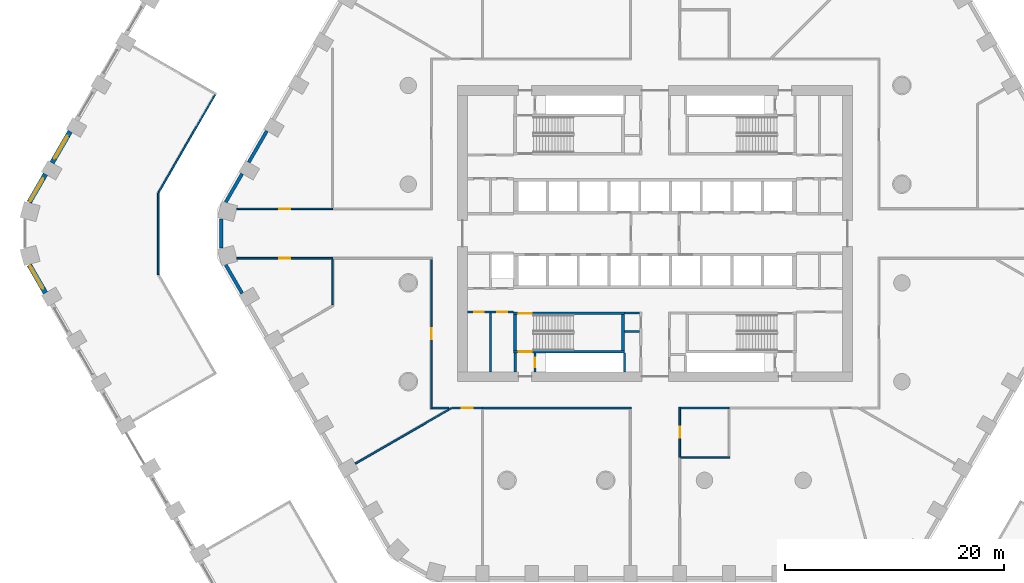
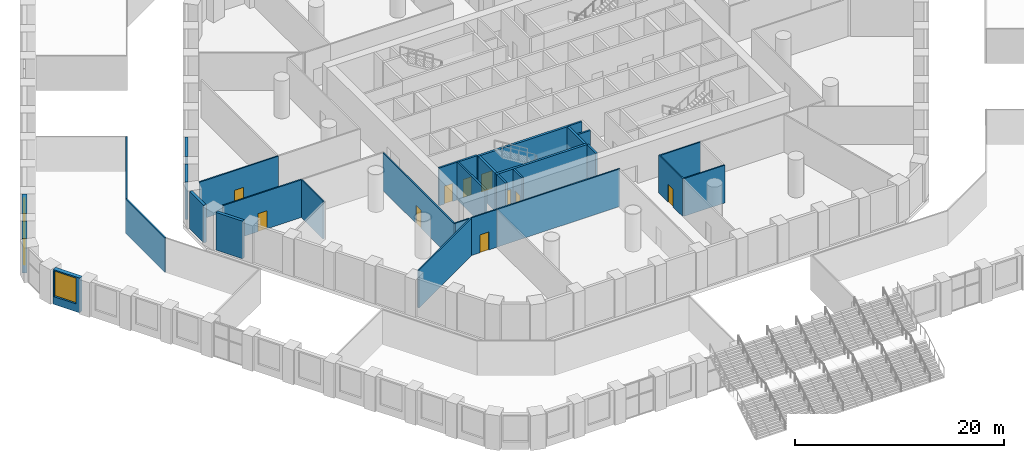
# One storey, part 18 of 42: 31 walls, 10 doors, 3 windows, 13 openings.
"""IFC4 building model written with IfcOpenShell, lengths in metres."""

from ifc_helpers import new_model, si_unit, direction, frame, frame_2d, origin, place, context, subcontext, project, spatial, rectangle, extrude, material, layer, layer_set, type_object, element, fill, save


model = new_model("IFC4")

# Units and contexts
model_context = context("Model", 3, precision=1e-05, world=origin(), true_north=direction((0.0, 1.0)))
body_context = subcontext(model_context, "Body", "Model", "MODEL_VIEW")
ifc_project = project(units=[si_unit("LENGTHUNIT", "METRE"), si_unit("AREAUNIT", "SQUARE_METRE"), si_unit("VOLUMEUNIT", "CUBIC_METRE"), si_unit("PLANEANGLEUNIT", "RADIAN"), si_unit("MASSUNIT", "GRAM", prefix="KILO")], contexts=[model_context])

# Site, building, storey
site_placement = place(None, origin())
site = spatial("IfcSite", under=ifc_project, at=site_placement, CompositionType="ELEMENT")
building_placement = place(site_placement, origin())
building = spatial("IfcBuilding", under=site, at=building_placement, Name="Dhurran Vertical Campus", CompositionType="ELEMENT")
storey_placement = place(building_placement, frame((0.0, 0.0, 6.0)))
storey = spatial("IfcBuildingStorey", under=building, at=storey_placement, Name="L01", CompositionType="ELEMENT", Elevation=6.0)

# Wall, opening, window
ifc_material_1 = material(Name="Precast concrete C50/60", Category="concrete")
ifc_layer_1 = layer(ifc_material_1, 0.449951171875)
ifc_layer_set_1 = layer_set([ifc_layer_1], Name="Precast concrete C50/60")
wall_type_1 = type_object("IfcWallType", Name="Precast base wall 450", PredefinedType="SOLIDWALL", material=ifc_layer_set_1)
wall_1_placement = place(storey_placement, frame((-53.329345703125, 9.311767578125, 0.0), z_axis=(0.0, 0.0, 1.0), x_axis=(-0.49995947208, -0.866048801325, 0.0)))
wall_1 = element("IfcWall", 1, at=wall_1_placement, inside=storey, type_object=wall_type_1, Name="EW2 L01.61 ring", PredefinedType="SOLIDWALL", context=body_context, shape_type="SweptSolid", body=[
    extrude(rectangle(XDim=3.299072265625, YDim=0.449951171875, at=frame_2d((1.6494140625, 0.0))), origin(), (0.0, 0.0, 1.0), 4.050048828125),
])
opening_1_placement = place(wall_1_placement, frame((0.449462890625, 0.0, 0.89990234375)))
opening_1 = element("IfcOpeningElement", 2, at=opening_1_placement, cuts=wall_1, Name="Opening WT2", PredefinedType="OPENING", context=body_context, shape_type="SweptSolid", body=[
    extrude(rectangle(XDim=2.39990234375, YDim=3.0, at=frame_2d((1.199951171875, 1.5))), frame((0.0, 0.23486328125, 0.0), z_axis=(0.0, -1.0, 0.0), x_axis=(1.0, 0.0, 0.0)), (0.0, 0.0, 1.0), 0.469970703125),
])
ifc_material_2 = material(Name="Aluminium frame with solar-control glass", Category="aluminium")
window_type = type_object("IfcWindowType", Name="Podium window 2400 x 3000", PartitioningType="SINGLE_PANEL", PredefinedType="WINDOW", material=ifc_material_2)
window_1_placement = place(opening_1_placement, origin())
window_1 = element("IfcWindow", 3, at=window_1_placement, inside=storey, type_object=window_type, Name="WT2 L01.61 ring", OverallHeight=3.0, OverallWidth=2.39990234375, PartitioningType="SINGLE_PANEL", PredefinedType="WINDOW", context=body_context, shape_type="SweptSolid", body=[
    extrude(rectangle(XDim=2.39990234375, YDim=3.0, at=frame_2d((1.199951171875, 1.5))), frame((0.0, 0.030029296875, 0.0), z_axis=(0.0, -1.0, 0.0), x_axis=(1.0, 0.0, 0.0)), (0.0, 0.0, 1.0), 0.06005859375),
])
fill(opening_1, window_1)

wall_2_placement = place(storey_placement, frame((-55.579345703125, 5.41455078125, 0.0), z_axis=(0.0, 0.0, 1.0), x_axis=(-0.500030648271, -0.866007708274, 0.0)))
wall_2 = element("IfcWall", 4, at=wall_2_placement, inside=storey, type_object=wall_type_1, Name="EW2 L01.62 ring", PredefinedType="SOLIDWALL", context=body_context, shape_type="SweptSolid", body=[
    extrude(rectangle(XDim=2.948486328125, YDim=0.449951171875, at=frame_2d((1.47412109375, 0.0))), origin(), (0.0, 0.0, 1.0), 4.050048828125),
])
opening_2_placement = place(wall_2_placement, frame((0.449462890625, 0.0, 0.89990234375)))
opening_2 = element("IfcOpeningElement", 5, at=opening_2_placement, cuts=wall_2, Name="Opening WT2", PredefinedType="OPENING", context=body_context, shape_type="SweptSolid", body=[
    extrude(rectangle(XDim=2.39990234375, YDim=3.0, at=frame_2d((1.199951171875, 1.5))), frame((0.0, 0.23486328125, 0.0), z_axis=(0.0, -1.0, 0.0), x_axis=(1.0, 0.0, 0.0)), (0.0, 0.0, 1.0), 0.469970703125),
])
window_2_placement = place(opening_2_placement, origin())
window_2 = element("IfcWindow", 6, at=window_2_placement, inside=storey, type_object=window_type, Name="WT2 L01.62 ring", OverallHeight=3.0, OverallWidth=2.39990234375, PartitioningType="SINGLE_PANEL", PredefinedType="WINDOW", context=body_context, shape_type="SweptSolid", body=[
    extrude(rectangle(XDim=2.39990234375, YDim=3.0, at=frame_2d((1.199951171875, 1.5))), frame((0.0, 0.030029296875, 0.0), z_axis=(0.0, -1.0, 0.0), x_axis=(1.0, 0.0, 0.0)), (0.0, 0.0, 1.0), 0.06005859375),
])
fill(opening_2, window_2)

wall_3_placement = place(storey_placement, frame((-57.0537109375, -2.861083984375, 0.0), z_axis=(0.0, 0.0, 1.0), x_axis=(0.500030648271, -0.866007708274, 0.0)))
wall_3 = element("IfcWall", 7, at=wall_3_placement, inside=storey, type_object=wall_type_1, Name="EW2 L01.64 ring", PredefinedType="SOLIDWALL", context=body_context, shape_type="SweptSolid", body=[
    extrude(rectangle(XDim=2.948486328125, YDim=0.449951171875, at=frame_2d((1.47412109375, 0.0))), origin(), (0.0, 0.0, 1.0), 4.050048828125),
])
opening_3_placement = place(wall_3_placement, frame((0.09912109375, 0.0, 0.89990234375)))
opening_3 = element("IfcOpeningElement", 8, at=opening_3_placement, cuts=wall_3, Name="Opening WT2", PredefinedType="OPENING", context=body_context, shape_type="SweptSolid", body=[
    extrude(rectangle(XDim=2.39990234375, YDim=3.0, at=frame_2d((1.199951171875, 1.5))), frame((0.0, 0.23486328125, 0.0), z_axis=(0.0, -1.0, 0.0), x_axis=(1.0, 0.0, 0.0)), (0.0, 0.0, 1.0), 0.469970703125),
])
window_3_placement = place(opening_3_placement, origin())
window_3 = element("IfcWindow", 9, at=window_3_placement, inside=storey, type_object=window_type, Name="WT2 L01.64 ring", OverallHeight=3.0, OverallWidth=2.39990234375, PartitioningType="SINGLE_PANEL", PredefinedType="WINDOW", context=body_context, shape_type="SweptSolid", body=[
    extrude(rectangle(XDim=2.39990234375, YDim=3.0, at=frame_2d((1.199951171875, 1.5))), frame((0.0, 0.030029296875, 0.0), z_axis=(0.0, -1.0, 0.0), x_axis=(1.0, 0.0, 0.0)), (0.0, 0.0, 1.0), 0.06005859375),
])
fill(opening_3, window_3)

# Walls
ifc_material_3 = material(Name="Precast concrete C50/60", Category="concrete")
ifc_layer_2 = layer(ifc_material_3, 0.300048828125)
ifc_layer_set_2 = layer_set([ifc_layer_2], Name="Precast concrete C50/60")
wall_type_2 = type_object("IfcWallType", Name="Precast interior wall 300", PredefinedType="SOLIDWALL", material=ifc_layer_set_2)
wall_4_placement = place(storey_placement, frame((-35.394287109375, 9.34912109375, 0.0), z_axis=(0.0, 0.0, 1.0), x_axis=(-0.499991515992, -0.866030301974, 0.0)))
element("IfcWall", 10, at=wall_4_placement, inside=storey, type_object=wall_type_2, Name="EW5 L01.41", PredefinedType="SOLIDWALL", context=body_context, shape_type="SweptSolid", body=[
    extrude(rectangle(XDim=3.298828125, YDim=0.300048828125, at=frame_2d((1.6494140625, 0.0))), origin(), (0.0, 0.0, 1.0), 4.39990234375),
])
wall_5_placement = place(storey_placement, frame((-37.644287109375, 5.4521484375, 0.0), z_axis=(0.0, 0.0, 1.0), x_axis=(-0.49999586137, -0.866027793211, 0.0)))
element("IfcWall", 11, at=wall_5_placement, inside=storey, type_object=wall_type_2, Name="EW5 L01.42", PredefinedType="SOLIDWALL", context=body_context, shape_type="SweptSolid", body=[
    extrude(rectangle(XDim=2.98876953125, YDim=0.300048828125, at=frame_2d((1.494384765625, 0.0))), origin(), (0.0, 0.0, 1.0), 4.39990234375),
])
wall_6_placement = place(storey_placement, frame((-39.547119140625, 1.33935546875, 0.0), z_axis=(0.0, 0.0, 1.0), x_axis=(0.0, -1.0, 0.0)))
element("IfcWall", 12, at=wall_6_placement, inside=storey, type_object=wall_type_2, Name="EW5 L01.43", PredefinedType="SOLIDWALL", context=body_context, shape_type="SweptSolid", body=[
    extrude(rectangle(XDim=2.6787109375, YDim=0.300048828125, at=frame_2d((1.33935546875, 0.0))), origin(), (0.0, 0.0, 1.0), 4.39990234375),
])
wall_7_placement = place(storey_placement, frame((-39.138671875, -2.86376953125, 0.0), z_axis=(0.0, 0.0, 1.0), x_axis=(0.49999586137, -0.866027793211, 0.0)))
element("IfcWall", 13, at=wall_7_placement, inside=storey, type_object=wall_type_2, Name="EW5 L01.44", PredefinedType="SOLIDWALL", context=body_context, shape_type="SweptSolid", body=[
    extrude(rectangle(XDim=2.98876953125, YDim=0.300048828125, at=frame_2d((1.494384765625, 0.0))), origin(), (0.0, 0.0, 1.0), 4.39990234375),
])
ifc_material_4 = material(Name="Fire-rated masonry blockwork", Category="masonry")
ifc_layer_3 = layer(ifc_material_4, 0.199951171875)
ifc_layer_set_3 = layer_set([ifc_layer_3], Name="Fire-rated masonry blockwork")
wall_type_3 = type_object("IfcWallType", Name="co-FIRE-PARTITION-200", PredefinedType="PARTITIONING", material=ifc_layer_set_3)
for number, where, z_axis, x_axis, name in (
    (14, (-2.800048828125, -7.25, 0.0), (0.0, 0.0, 1.0), (1.0, 0.0, 0.0), "Core partition sl-SW-S L01"),
    (15, (-2.800048828125, -8.925048828125, 0.0), (0.0, 0.0, 1.0), (1.0, 0.0, 0.0), "Core partition sl-SW-cut0 L01"),
):
    element("IfcWall", number, at=place(storey_placement, frame(where, z_axis=z_axis, x_axis=x_axis)), inside=storey, type_object=wall_type_3, Name=name, PredefinedType="PARTITIONING", context=body_context, shape_type="SweptSolid", body=[
        extrude(rectangle(XDim=1.400146484375, YDim=0.199951171875, at=frame_2d((0.7001953125, 0.0))), origin(), (0.0, 0.0, 1.0), 4.39990234375),
    ])
wall_8_placement = place(storey_placement, frame((-12.75, -12.60009765625, 0.0), z_axis=(0.0, 0.0, 1.0), x_axis=(0.0, 1.0, 0.0)))
element("IfcWall", 16, at=wall_8_placement, inside=storey, type_object=wall_type_3, Name="Core partition pass-ST3-o L01", PredefinedType="PARTITIONING", context=body_context, shape_type="SweptSolid", body=[
    extrude(rectangle(XDim=1.7001953125, YDim=0.199951171875, at=frame_2d((0.85009765625, 0.0))), origin(), (0.0, 0.0, 1.0), 4.39990234375),
])

# Wall, opening, door
wall_9_placement = place(storey_placement, frame((-10.949951171875, -12.60009765625, 0.0), z_axis=(0.0, 0.0, 1.0), x_axis=(0.0, 1.0, 0.0)))
wall_9 = element("IfcWall", 17, at=wall_9_placement, inside=storey, type_object=wall_type_3, Name="Core partition pass-ST3-i L01", PredefinedType="PARTITIONING", context=body_context, shape_type="SweptSolid", body=[
    extrude(rectangle(XDim=1.7001953125, YDim=0.199951171875, at=frame_2d((0.85009765625, 0.0))), origin(), (0.0, 0.0, 1.0), 4.39990234375),
])
opening_4_placement = place(wall_9_placement, frame((0.39990234375, 0.0, 0.0)))
opening_4 = element("IfcOpeningElement", 18, at=opening_4_placement, cuts=wall_9, Name="Opening PD01-C10", PredefinedType="OPENING", context=body_context, shape_type="SweptSolid", body=[
    extrude(rectangle(XDim=0.89990234375, YDim=2.10009765625, at=frame_2d((0.449951171875, 1.050048828125))), frame((0.0, 0.10986328125, 0.0), z_axis=(0.0, -1.0, 0.0), x_axis=(1.0, 0.0, 0.0)), (0.0, 0.0, 1.0), 0.219970703125),
])
ifc_material_5 = material(Name="Fire-rated timber door set", Category="wood")
door_type_1 = type_object("IfcDoorType", Name="co-D-ROOM 900x2100", OperationType="SINGLE_SWING_LEFT", PredefinedType="DOOR", material=ifc_material_5)
door_1_placement = place(opening_4_placement, origin())
door_1 = element("IfcDoor", 19, at=door_1_placement, inside=storey, type_object=door_type_1, Name="Riser room door L01", OperationType="SINGLE_SWING_LEFT", OverallHeight=2.10009765625, OverallWidth=0.89990234375, PredefinedType="DOOR", context=body_context, shape_type="SweptSolid", body=[
    extrude(rectangle(XDim=0.89990234375, YDim=2.10009765625, at=frame_2d((0.449951171875, 1.050048828125))), frame((0.0, 0.02490234375, 0.0), z_axis=(0.0, -1.0, 0.0), x_axis=(1.0, 0.0, 0.0)), (0.0, 0.0, 1.0), 0.050048828125),
])
fill(opening_4, door_1)

# Wall
wall_10_placement = place(storey_placement, frame((-15.0, -12.60009765625, 0.0), z_axis=(0.0, 0.0, 1.0), x_axis=(0.0, 1.0, 0.0)))
element("IfcWall", 20, at=wall_10_placement, inside=storey, type_object=wall_type_3, Name="Core partition en-SW-cut0 L01", PredefinedType="PARTITIONING", context=body_context, shape_type="SweptSolid", body=[
    extrude(rectangle(XDim=5.4501953125, YDim=0.199951171875, at=frame_2d((2.72509765625, 0.0))), origin(), (0.0, 0.0, 1.0), 4.39990234375),
])

# Wall, openings, doors
wall_11_placement = place(storey_placement, frame((-17.10009765625, -7.14990234375, 0.0), z_axis=(0.0, 0.0, 1.0), x_axis=(1.0, 0.0, 0.0)))
wall_11 = element("IfcWall", 21, at=wall_11_placement, inside=storey, type_object=wall_type_3, Name="Core partition en-SW-w L01", PredefinedType="PARTITIONING", context=body_context, shape_type="SweptSolid", body=[
    extrude(rectangle(XDim=4.2001953125, YDim=0.199951171875, at=frame_2d((2.10009765625, 0.0))), origin(), (0.0, 0.0, 1.0), 4.39990234375),
])
opening_5_placement = place(wall_11_placement, frame((0.60009765625, 0.0, 0.0)))
opening_5 = element("IfcOpeningElement", 22, at=opening_5_placement, cuts=wall_11, Name="Opening PD01-C19", PredefinedType="OPENING", context=body_context, shape_type="SweptSolid", body=[
    extrude(rectangle(XDim=0.89990234375, YDim=2.10009765625, at=frame_2d((0.449951171875, 1.050048828125))), frame((0.0, 0.10986328125, 0.0), z_axis=(0.0, -1.0, 0.0), x_axis=(1.0, 0.0, 0.0)), (0.0, 0.0, 1.0), 0.219970703125),
])
opening_6_placement = place(wall_11_placement, frame((2.699951171875, 0.0, 0.0)))
opening_6 = element("IfcOpeningElement", 23, at=opening_6_placement, cuts=wall_11, Name="Opening PD01-C20", PredefinedType="OPENING", context=body_context, shape_type="SweptSolid", body=[
    extrude(rectangle(XDim=0.89990234375, YDim=2.10009765625, at=frame_2d((0.449951171875, 1.050048828125))), frame((0.0, 0.10986328125, 0.0), z_axis=(0.0, -1.0, 0.0), x_axis=(1.0, 0.0, 0.0)), (0.0, 0.0, 1.0), 0.219970703125),
])
door_2_placement = place(opening_5_placement, origin())
door_2 = element("IfcDoor", 24, at=door_2_placement, inside=storey, type_object=door_type_1, Name="Plant room door L01", OperationType="SINGLE_SWING_LEFT", OverallHeight=2.10009765625, OverallWidth=0.89990234375, PredefinedType="DOOR", context=body_context, shape_type="SweptSolid", body=[
    extrude(rectangle(XDim=0.89990234375, YDim=2.10009765625, at=frame_2d((0.449951171875, 1.050048828125))), frame((0.0, 0.02490234375, 0.0), z_axis=(0.0, -1.0, 0.0), x_axis=(1.0, 0.0, 0.0)), (0.0, 0.0, 1.0), 0.050048828125),
])
fill(opening_5, door_2)
door_3_placement = place(opening_6_placement, origin())
door_3 = element("IfcDoor", 25, at=door_3_placement, inside=storey, type_object=door_type_1, Name="Fire equipment store door L01", OperationType="SINGLE_SWING_LEFT", OverallHeight=2.10009765625, OverallWidth=0.89990234375, PredefinedType="DOOR", context=body_context, shape_type="SweptSolid", body=[
    extrude(rectangle(XDim=0.89990234375, YDim=2.10009765625, at=frame_2d((0.449951171875, 1.050048828125))), frame((0.0, 0.02490234375, 0.0), z_axis=(0.0, -1.0, 0.0), x_axis=(1.0, 0.0, 0.0)), (0.0, 0.0, 1.0), 0.050048828125),
])
fill(opening_6, door_3)

# Wall
wall_12_placement = place(storey_placement, frame((-2.800048828125, -12.59912109375, 0.0), z_axis=(0.0, 0.0, 1.0), x_axis=(0.0, 1.0, 0.0)))
element("IfcWall", 26, at=wall_12_placement, inside=storey, type_object=wall_type_3, Name="Riser enclosure wall L01", PredefinedType="PARTITIONING", context=body_context, shape_type="SweptSolid", body=[
    extrude(rectangle(XDim=1.6982421875, YDim=0.199951171875, at=frame_2d((0.84912109375, 0.0))), origin(), (0.0, 0.0, 1.0), 4.39990234375),
])

# Wall, opening, door
ifc_material_6 = material(Name="Concrete C40/50", Category="concrete")
ifc_layer_4 = layer(ifc_material_6, 0.25)
ifc_layer_set_4 = layer_set([ifc_layer_4], Name="Concrete C40/50")
wall_type_4 = type_object("IfcWallType", Name="co-STAIR-WALL-250", PredefinedType="SHEAR", material=ifc_layer_set_4)
wall_13_placement = place(storey_placement, frame((-12.89990234375, -10.77490234375, 0.0), z_axis=(0.0, 0.0, 1.0), x_axis=(1.0, 0.0, 0.0)))
wall_13 = element("IfcWall", 27, at=wall_13_placement, inside=storey, type_object=wall_type_4, Name="Stair ST3 enclosure wall L01", PredefinedType="SHEAR", context=body_context, shape_type="SweptSolid", body=[
    extrude(rectangle(XDim=10.099853515625, YDim=0.25, at=frame_2d((5.0498046875, 0.0))), origin(), (0.0, 0.0, 1.0), 4.39990234375),
])
opening_7_placement = place(wall_13_placement, frame((0.449951171875, 0.0, 0.0)))
opening_7 = element("IfcOpeningElement", 28, at=opening_7_placement, cuts=wall_13, Name="Opening XS3", PredefinedType="OPENING", context=body_context, shape_type="SweptSolid", body=[
    extrude(rectangle(XDim=1.199951171875, YDim=2.10009765625, at=frame_2d((0.60009765625, 1.050048828125))), frame((0.0, 0.135009765625, 0.0), z_axis=(0.0, -1.0, 0.0), x_axis=(1.0, 0.0, 0.0)), (0.0, 0.0, 1.0), 0.27001953125),
])
ifc_material_7 = material(Name="Fire-rated steel door set", Category="steel")
door_type_2 = type_object("IfcDoorType", Name="co-D-STAIR-EXIT 1200x2100", OperationType="SINGLE_SWING_RIGHT", PredefinedType="DOOR", material=ifc_material_7)
door_4_placement = place(opening_7_placement, origin())
door_4 = element("IfcDoor", 29, at=door_4_placement, inside=storey, type_object=door_type_2, Name="Stair ST3 discharge door L01", OperationType="SINGLE_SWING_RIGHT", OverallHeight=2.10009765625, OverallWidth=1.199951171875, PredefinedType="DOOR", context=body_context, shape_type="SweptSolid", body=[
    extrude(rectangle(XDim=1.199951171875, YDim=2.10009765625, at=frame_2d((0.60009765625, 1.050048828125))), frame((0.0, 0.02490234375, 0.0), z_axis=(0.0, -1.0, 0.0), x_axis=(1.0, 0.0, 0.0)), (0.0, 0.0, 1.0), 0.050048828125),
])
fill(opening_7, door_4)

wall_14_placement = place(storey_placement, frame((-12.89990234375, -7.27490234375, 0.0), z_axis=(0.0, 0.0, 1.0), x_axis=(1.0, 0.0, 0.0)))
wall_14 = element("IfcWall", 30, at=wall_14_placement, inside=storey, type_object=wall_type_4, Name="Stair ST3 enclosure wall L01", PredefinedType="SHEAR", context=body_context, shape_type="SweptSolid", body=[
    extrude(rectangle(XDim=10.099853515625, YDim=0.25, at=frame_2d((5.0498046875, 0.0))), origin(), (0.0, 0.0, 1.0), 4.39990234375),
])
opening_8_placement = place(wall_14_placement, frame((0.449951171875, 0.0, 0.0)))
opening_8 = element("IfcOpeningElement", 31, at=opening_8_placement, cuts=wall_14, Name="Opening SD3", PredefinedType="OPENING", context=body_context, shape_type="SweptSolid", body=[
    extrude(rectangle(XDim=1.199951171875, YDim=2.10009765625, at=frame_2d((0.60009765625, 1.050048828125))), frame((0.0, 0.135009765625, 0.0), z_axis=(0.0, -1.0, 0.0), x_axis=(1.0, 0.0, 0.0)), (0.0, 0.0, 1.0), 0.27001953125),
])
ifc_material_8 = material(Name="Fire-rated steel door set", Category="steel")
door_type_3 = type_object("IfcDoorType", Name="co-D-STAIR 1200x2100", OperationType="SINGLE_SWING_LEFT", PredefinedType="DOOR", material=ifc_material_8)
door_5_placement = place(opening_8_placement, origin())
door_5 = element("IfcDoor", 32, at=door_5_placement, inside=storey, type_object=door_type_3, Name="Stair ST3 door L01", OperationType="SINGLE_SWING_LEFT", OverallHeight=2.10009765625, OverallWidth=1.199951171875, PredefinedType="DOOR", context=body_context, shape_type="SweptSolid", body=[
    extrude(rectangle(XDim=1.199951171875, YDim=2.10009765625, at=frame_2d((0.60009765625, 1.050048828125))), frame((0.0, 0.02490234375, 0.0), z_axis=(0.0, -1.0, 0.0), x_axis=(1.0, 0.0, 0.0)), (0.0, 0.0, 1.0), 0.050048828125),
])
fill(opening_8, door_5)

# Walls
for number, where, z_axis, x_axis, name in (
    (33, (-12.77490234375, -10.64990234375, 0.0), (0.0, 0.0, 1.0), (0.0, 1.0, 0.0), "Stair ST3 enclosure wall L01"),
    (34, (-2.925048828125, -10.64990234375, 0.0), (0.0, 0.0, 1.0), (0.0, 1.0, 0.0), "Stair ST3 enclosure wall L01"),
):
    element("IfcWall", number, at=place(storey_placement, frame(where, z_axis=z_axis, x_axis=x_axis)), inside=storey, type_object=wall_type_4, Name=name, PredefinedType="SHEAR", context=body_context, shape_type="SweptSolid", body=[
        extrude(rectangle(XDim=3.25, YDim=0.25, at=frame_2d((1.625, 0.0))), origin(), (0.0, 0.0, 1.0), 4.39990234375),
    ])
ifc_material_9 = material(Name="Gypsum board corridor wall on steel studs", Category="steel")
ifc_layer_5 = layer(ifc_material_9, 0.14990234375)
ifc_layer_set_5 = layer_set([ifc_layer_5], Name="Gypsum board corridor wall on steel studs")
wall_type_5 = type_object("IfcWallType", Name="fl-CW-150 corridor wall", PredefinedType="PARTITIONING", material=ifc_layer_set_5)
wall_15_placement = place(storey_placement, frame((-45.297119140625, -3.741943359375, 0.0), z_axis=(0.0, 0.0, 1.0), x_axis=(0.0, 1.0, 0.0)))
element("IfcWall", 35, at=wall_15_placement, inside=storey, type_object=wall_type_5, Name="Partition 01-R03", PredefinedType="PARTITIONING", context=body_context, shape_type="SweptSolid", body=[
    extrude(rectangle(XDim=7.48388671875, YDim=0.14990234375, at=frame_2d((3.741943359375, 0.0))), origin(), (0.0, 0.0, 1.0), 4.050048828125),
])
wall_16_placement = place(storey_placement, frame((-45.259521484375, 3.761962890625, 0.0), z_axis=(0.0, 0.0, 1.0), x_axis=(0.499979704663, 0.866037120986, 0.0)))
element("IfcWall", 36, at=wall_16_placement, inside=storey, type_object=wall_type_5, Name="Partition 01-R05", PredefinedType="PARTITIONING", context=body_context, shape_type="SweptSolid", body=[
    extrude(rectangle(XDim=10.29638671875, YDim=0.14990234375, at=frame_2d((5.148193359375, 0.0))), origin(), (0.0, 0.0, 1.0), 4.050048828125),
])

# Wall, opening, door
wall_17_placement = place(storey_placement, frame((-29.39990234375, -2.25, 0.0), z_axis=(0.0, 0.0, 1.0), x_axis=(-1.0, 0.0, 0.0)))
wall_17 = element("IfcWall", 37, at=wall_17_placement, inside=storey, type_object=wall_type_5, Name="Partition 01-01", PredefinedType="PARTITIONING", context=body_context, shape_type="SweptSolid", body=[
    extrude(rectangle(XDim=8.715576171875, YDim=0.14990234375, at=frame_2d((4.35791015625, 0.0))), origin(), (0.0, 0.0, 1.0), 4.39990234375),
])
opening_9_placement = place(wall_17_placement, frame((3.857666015625, 0.0, 0.0)))
opening_9 = element("IfcOpeningElement", 38, at=opening_9_placement, cuts=wall_17, Name="Opening PD01.01", PredefinedType="OPENING", context=body_context, shape_type="SweptSolid", body=[
    extrude(rectangle(XDim=1.0, YDim=2.10009765625, at=frame_2d((0.5, 1.050048828125))), frame((0.0, 0.0849609375, 0.0), z_axis=(0.0, -1.0, 0.0), x_axis=(1.0, 0.0, 0.0)), (0.0, 0.0, 1.0), 0.169921875),
])
ifc_material_10 = material(Name="Solid-core timber door set, fire-rated", Category="wood")
door_type_4 = type_object("IfcDoorType", Name="fl-D-1000x2100", OperationType="SINGLE_SWING_LEFT", PredefinedType="DOOR", material=ifc_material_10)
door_6_placement = place(opening_9_placement, origin())
door_6 = element("IfcDoor", 39, at=door_6_placement, inside=storey, type_object=door_type_4, Name="Door 01.01", OperationType="SINGLE_SWING_RIGHT", OverallHeight=2.10009765625, OverallWidth=1.0, PredefinedType="DOOR", context=body_context, shape_type="SweptSolid", body=[
    extrude(rectangle(XDim=1.0, YDim=2.10009765625, at=frame_2d((0.5, 1.050048828125))), frame((0.0, 0.02490234375, 0.0), z_axis=(0.0, -1.0, 0.0), x_axis=(1.0, 0.0, 0.0)), (0.0, 0.0, 1.0), 0.050048828125),
])
fill(opening_9, door_6)

wall_18_placement = place(storey_placement, frame((-38.115478515625, 2.25, 0.0), z_axis=(0.0, 0.0, 1.0), x_axis=(1.0, 0.0, 0.0)))
wall_18 = element("IfcWall", 40, at=wall_18_placement, inside=storey, type_object=wall_type_5, Name="Partition 01-02", PredefinedType="PARTITIONING", context=body_context, shape_type="SweptSolid", body=[
    extrude(rectangle(XDim=8.715576171875, YDim=0.14990234375, at=frame_2d((4.35791015625, 0.0))), origin(), (0.0, 0.0, 1.0), 4.39990234375),
])
opening_10_placement = place(wall_18_placement, frame((3.857666015625, 0.0, 0.0)))
opening_10 = element("IfcOpeningElement", 41, at=opening_10_placement, cuts=wall_18, Name="Opening PD01.02", PredefinedType="OPENING", context=body_context, shape_type="SweptSolid", body=[
    extrude(rectangle(XDim=1.0, YDim=2.10009765625, at=frame_2d((0.5, 1.050048828125))), frame((0.0, 0.0849609375, 0.0), z_axis=(0.0, -1.0, 0.0), x_axis=(1.0, 0.0, 0.0)), (0.0, 0.0, 1.0), 0.169921875),
])
door_7_placement = place(opening_10_placement, origin())
door_7 = element("IfcDoor", 42, at=door_7_placement, inside=storey, type_object=door_type_4, Name="Door 01.02", OperationType="SINGLE_SWING_RIGHT", OverallHeight=2.10009765625, OverallWidth=1.0, PredefinedType="DOOR", context=body_context, shape_type="SweptSolid", body=[
    extrude(rectangle(XDim=1.0, YDim=2.10009765625, at=frame_2d((0.5, 1.050048828125))), frame((0.0, 0.02490234375, 0.0), z_axis=(0.0, -1.0, 0.0), x_axis=(1.0, 0.0, 0.0)), (0.0, 0.0, 1.0), 0.050048828125),
])
fill(opening_10, door_7)

wall_19_placement = place(storey_placement, frame((-20.39990234375, -2.324951171875, 0.0), z_axis=(0.0, 0.0, 1.0), x_axis=(0.0, -1.0, 0.0)))
wall_19 = element("IfcWall", 43, at=wall_19_placement, inside=storey, type_object=wall_type_5, Name="Partition 01-10", PredefinedType="PARTITIONING", context=body_context, shape_type="SweptSolid", body=[
    extrude(rectangle(XDim=13.650146484375, YDim=0.14990234375, at=frame_2d((6.8251953125, 0.0))), origin(), (0.0, 0.0, 1.0), 4.39990234375),
])
opening_11_placement = place(wall_19_placement, frame((6.324951171875, 0.0, 0.0)))
opening_11 = element("IfcOpeningElement", 44, at=opening_11_placement, cuts=wall_19, Name="Opening PD01.03", PredefinedType="OPENING", context=body_context, shape_type="SweptSolid", body=[
    extrude(rectangle(XDim=1.0, YDim=2.10009765625, at=frame_2d((0.5, 1.050048828125))), frame((0.0, 0.0849609375, 0.0), z_axis=(0.0, -1.0, 0.0), x_axis=(1.0, 0.0, 0.0)), (0.0, 0.0, 1.0), 0.169921875),
])
door_8_placement = place(opening_11_placement, origin())
door_8 = element("IfcDoor", 45, at=door_8_placement, inside=storey, type_object=door_type_4, Name="Door 01.03", OperationType="SINGLE_SWING_LEFT", OverallHeight=2.10009765625, OverallWidth=1.0, PredefinedType="DOOR", context=body_context, shape_type="SweptSolid", body=[
    extrude(rectangle(XDim=1.0, YDim=2.10009765625, at=frame_2d((0.5, 1.050048828125))), frame((0.0, 0.02490234375, 0.0), z_axis=(0.0, -1.0, 0.0), x_axis=(1.0, 0.0, 0.0)), (0.0, 0.0, 1.0), 0.050048828125),
])
fill(opening_11, door_8)

# Wall
wall_20_placement = place(storey_placement, frame((-20.324951171875, -15.89990234375, 0.0), z_axis=(0.0, 0.0, 1.0), x_axis=(1.0, 0.0, 0.0)))
element("IfcWall", 46, at=wall_20_placement, inside=storey, type_object=wall_type_5, Name="Partition 01-11", PredefinedType="PARTITIONING", context=body_context, shape_type="SweptSolid", body=[
    extrude(rectangle(XDim=1.510009765625, YDim=0.14990234375, at=frame_2d((0.7548828125, 0.0))), origin(), (0.0, 0.0, 1.0), 4.39990234375),
])

# Wall, opening, door
wall_21_placement = place(storey_placement, frame((-18.5400390625, -15.89990234375, 0.0), z_axis=(0.0, 0.0, 1.0), x_axis=(1.0, 0.0, 0.0)))
wall_21 = element("IfcWall", 47, at=wall_21_placement, inside=storey, type_object=wall_type_5, Name="Partition 01-14", PredefinedType="PARTITIONING", context=body_context, shape_type="SweptSolid", body=[
    extrude(rectangle(XDim=2.7900390625, YDim=0.14990234375, at=frame_2d((1.39501953125, 0.0))), origin(), (0.0, 0.0, 1.0), 4.39990234375),
])
opening_12_placement = place(wall_21_placement, frame((0.89501953125, 0.0, 0.0)))
opening_12 = element("IfcOpeningElement", 48, at=opening_12_placement, cuts=wall_21, Name="Opening PD01.05", PredefinedType="OPENING", context=body_context, shape_type="SweptSolid", body=[
    extrude(rectangle(XDim=1.0, YDim=2.10009765625, at=frame_2d((0.5, 1.050048828125))), frame((0.0, 0.0849609375, 0.0), z_axis=(0.0, -1.0, 0.0), x_axis=(1.0, 0.0, 0.0)), (0.0, 0.0, 1.0), 0.169921875),
])
door_9_placement = place(opening_12_placement, origin())
door_9 = element("IfcDoor", 49, at=door_9_placement, inside=storey, type_object=door_type_4, Name="Door 01.05", OperationType="SINGLE_SWING_LEFT", OverallHeight=2.10009765625, OverallWidth=1.0, PredefinedType="DOOR", context=body_context, shape_type="SweptSolid", body=[
    extrude(rectangle(XDim=1.0, YDim=2.10009765625, at=frame_2d((0.5, 1.050048828125))), frame((0.0, 0.02490234375, 0.0), z_axis=(0.0, -1.0, 0.0), x_axis=(1.0, 0.0, 0.0)), (0.0, 0.0, 1.0), 0.050048828125),
])
fill(opening_12, door_9)

# Wall
wall_22_placement = place(storey_placement, frame((-15.75, -15.89990234375, 0.0), z_axis=(0.0, 0.0, 1.0), x_axis=(1.0, 0.0, 0.0)))
element("IfcWall", 50, at=wall_22_placement, inside=storey, type_object=wall_type_5, Name="Partition 01-17", PredefinedType="PARTITIONING", context=body_context, shape_type="SweptSolid", body=[
    extrude(rectangle(XDim=13.574951171875, YDim=0.14990234375, at=frame_2d((6.78759765625, 0.0))), origin(), (0.0, 0.0, 1.0), 4.39990234375),
])

# Wall, opening, door
wall_23_placement = place(storey_placement, frame((2.25, -15.824951171875, 0.0), z_axis=(0.0, 0.0, 1.0), x_axis=(0.0, -1.0, 0.0)))
wall_23 = element("IfcWall", 51, at=wall_23_placement, inside=storey, type_object=wall_type_5, Name="Partition 01-23", PredefinedType="PARTITIONING", context=body_context, shape_type="SweptSolid", body=[
    extrude(rectangle(XDim=4.574951171875, YDim=0.14990234375, at=frame_2d((2.28759765625, 0.0))), origin(), (0.0, 0.0, 1.0), 4.39990234375),
])
opening_13_placement = place(wall_23_placement, frame((1.78759765625, 0.0, 0.0)))
opening_13 = element("IfcOpeningElement", 52, at=opening_13_placement, cuts=wall_23, Name="Opening PD01.09", PredefinedType="OPENING", context=body_context, shape_type="SweptSolid", body=[
    extrude(rectangle(XDim=1.0, YDim=2.10009765625, at=frame_2d((0.5, 1.050048828125))), frame((0.0, 0.0849609375, 0.0), z_axis=(0.0, -1.0, 0.0), x_axis=(1.0, 0.0, 0.0)), (0.0, 0.0, 1.0), 0.169921875),
])
door_10_placement = place(opening_13_placement, origin())
door_10 = element("IfcDoor", 53, at=door_10_placement, inside=storey, type_object=door_type_4, Name="Door 01.09", OperationType="SINGLE_SWING_RIGHT", OverallHeight=2.10009765625, OverallWidth=1.0, PredefinedType="DOOR", context=body_context, shape_type="SweptSolid", body=[
    extrude(rectangle(XDim=1.0, YDim=2.10009765625, at=frame_2d((0.5, 1.050048828125))), frame((0.0, 0.02490234375, 0.0), z_axis=(0.0, -1.0, 0.0), x_axis=(1.0, 0.0, 0.0)), (0.0, 0.0, 1.0), 0.050048828125),
])
fill(opening_13, door_10)

# Walls
wall_24_placement = place(storey_placement, frame((2.324951171875, -15.89990234375, 0.0), z_axis=(0.0, 0.0, 1.0), x_axis=(1.0, 0.0, 0.0)))
element("IfcWall", 54, at=wall_24_placement, inside=storey, type_object=wall_type_5, Name="Partition 01-25", PredefinedType="PARTITIONING", context=body_context, shape_type="SweptSolid", body=[
    extrude(rectangle(XDim=4.425048828125, YDim=0.14990234375, at=frame_2d((2.21240234375, 0.0))), origin(), (0.0, 0.0, 1.0), 4.39990234375),
])
ifc_material_11 = material(Name="Gypsum board partition on steel studs", Category="steel")
ifc_layer_6 = layer(ifc_material_11, 0.14990234375)
ifc_layer_set_6 = layer_set([ifc_layer_6], Name="Gypsum board partition on steel studs")
wall_type_6 = type_object("IfcWallType", Name="fl-PW-150 fixed partition", PredefinedType="PARTITIONING", material=ifc_layer_set_6)
wall_25_placement = place(storey_placement, frame((-29.39990234375, -2.324951171875, 0.0), z_axis=(0.0, 0.0, 1.0), x_axis=(0.0, -1.0, 0.0)))
element("IfcWall", 55, at=wall_25_placement, inside=storey, type_object=wall_type_6, Name="Partition 01-04", PredefinedType="PARTITIONING", context=body_context, shape_type="SweptSolid", body=[
    extrude(rectangle(XDim=4.156982421875, YDim=0.14990234375, at=frame_2d((2.07861328125, 0.0))), origin(), (0.0, 0.0, 1.0), 4.39990234375),
])
wall_26_placement = place(storey_placement, frame((-18.60498046875, -15.9375, 0.0), z_axis=(0.0, 0.0, 1.0), x_axis=(-0.865988664976, -0.500063628085, 0.0)))
element("IfcWall", 56, at=wall_26_placement, inside=storey, type_object=wall_type_6, Name="Partition 01-08", PredefinedType="PARTITIONING", context=body_context, shape_type="SweptSolid", body=[
    extrude(rectangle(XDim=10.075927734375, YDim=0.14990234375, at=frame_2d((5.0380859375, 0.0))), origin(), (0.0, 0.0, 1.0), 4.39990234375),
])
wall_27_placement = place(storey_placement, frame((6.824951171875, -20.39990234375, 0.0), z_axis=(0.0, 0.0, 1.0), x_axis=(-1.0, 0.0, 0.0)))
element("IfcWall", 57, at=wall_27_placement, inside=storey, type_object=wall_type_6, Name="Partition 01-24", PredefinedType="PARTITIONING", context=body_context, shape_type="SweptSolid", body=[
    extrude(rectangle(XDim=4.5, YDim=0.14990234375, at=frame_2d((2.25, 0.0))), origin(), (0.0, 0.0, 1.0), 4.39990234375),
])

save(model, "model.ifc")
